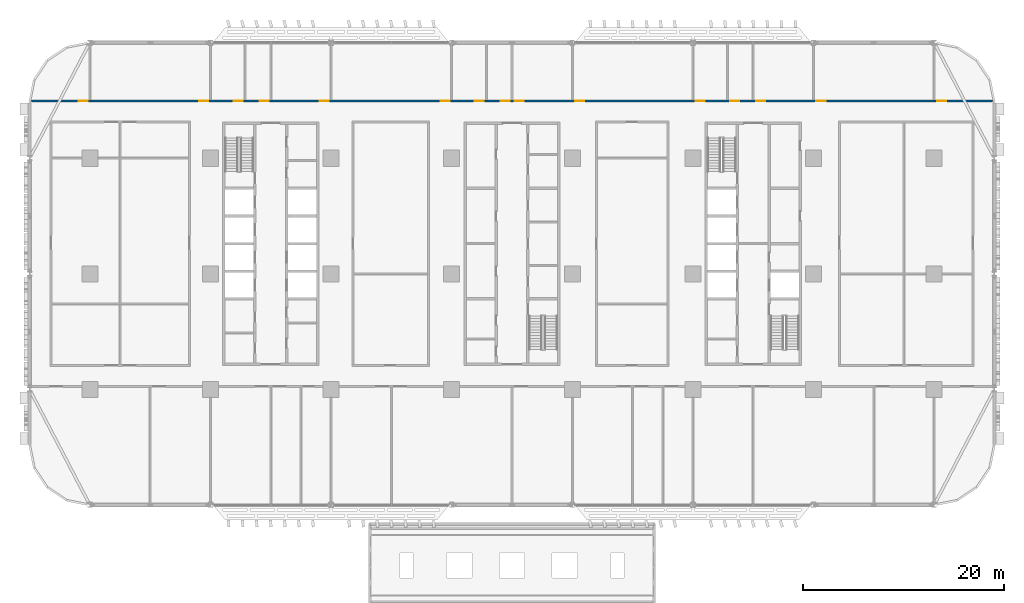
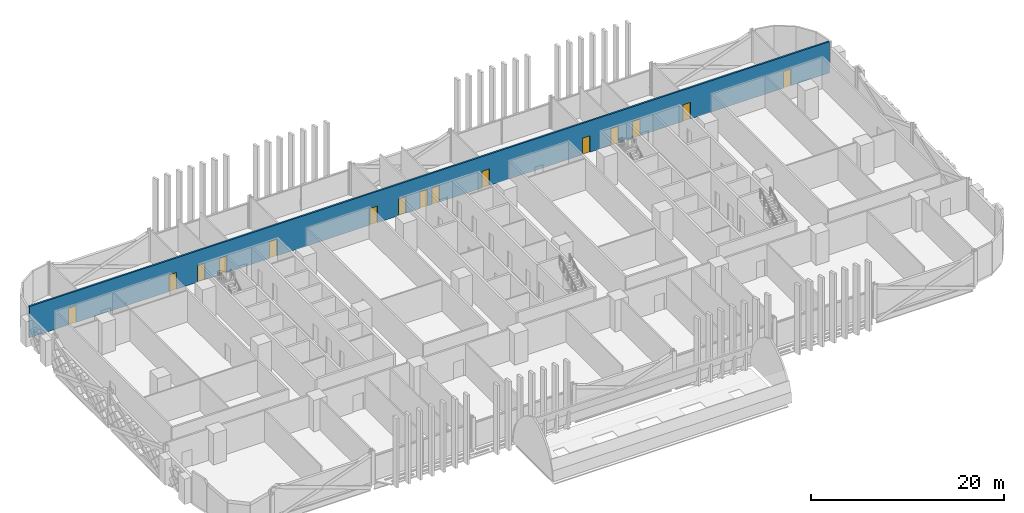
# One storey, part 13 of 31: 15 doors, 1 wall, 15 openings.
"""IFC4 building model written with IfcOpenShell, lengths in metres."""

from ifc_helpers import new_model, si_unit, direction, frame, frame_2d, origin, place, context, subcontext, project, spatial, rectangle, extrude, material, layer, layer_set, type_object, element, fill, save


model = new_model("IFC4")

# Units and contexts
model_context = context("Model", 3, precision=1e-05, world=origin(), true_north=direction((0.0, 1.0)))
body_context = subcontext(model_context, "Body", "Model", "MODEL_VIEW")
ifc_project = project(units=[si_unit("LENGTHUNIT", "METRE"), si_unit("AREAUNIT", "SQUARE_METRE"), si_unit("VOLUMEUNIT", "CUBIC_METRE"), si_unit("PLANEANGLEUNIT", "RADIAN"), si_unit("MASSUNIT", "GRAM", prefix="KILO")], contexts=[model_context])

# Site, building, storey
site_placement = place(None, origin())
site = spatial("IfcSite", under=ifc_project, at=site_placement, CompositionType="ELEMENT")
building_placement = place(site_placement, origin())
building = spatial("IfcBuilding", under=site, at=building_placement, Name="Mahtab Terrace Research Tower", CompositionType="ELEMENT")
storey_placement = place(building_placement, frame((0.0, 0.0, 11.5)))
storey = spatial("IfcBuildingStorey", under=building, at=storey_placement, Name="L02", CompositionType="ELEMENT", Elevation=11.5)

# Wall, openings, doors
ifc_material_1 = material(Name="Gypsum board corridor wall on steel studs", Category="steel")
ifc_layer = layer(ifc_material_1, 0.199951171875)
ifc_layer_set = layer_set([ifc_layer], Name="WALL CORRIDOR 200")
wall_type = type_object("IfcWallType", Name="WALL CORRIDOR 200", PredefinedType="PARTITIONING", material=ifc_layer_set)
wall_placement = place(storey_placement, frame((-47.807373046875, 17.199951171875, 0.0), z_axis=(0.0, 0.0, 1.0), x_axis=(1.0, 0.0, 0.0)))
wall = element("IfcWall", 1, at=wall_placement, inside=storey, type_object=wall_type, Name="L02-W026", PredefinedType="PARTITIONING", context=body_context, shape_type="SweptSolid", body=[
    extrude(rectangle(XDim=95.61474609375, YDim=0.199951171875, at=frame_2d((47.807373046875, 0.0))), origin(), (0.0, 0.0, 1.0), 3.9599609375),
])
opening_1_placement = place(wall_placement, frame((4.699951171875, 0.0, 0.0)))
opening_1 = element("IfcOpeningElement", 2, at=opening_1_placement, cuts=wall, Name="Opening L02-131", PredefinedType="OPENING", context=body_context, shape_type="SweptSolid", body=[
    extrude(rectangle(XDim=0.89990234375, YDim=2.10009765625, at=frame_2d((0.449951171875, 1.050048828125))), frame((0.0, 0.10986328125, 0.0), z_axis=(0.0, -1.0, 0.0), x_axis=(1.0, 0.0, 0.0)), (0.0, 0.0, 1.0), 0.219970703125),
])
opening_2_placement = place(wall_placement, frame((16.699951171875, 0.0, 0.0)))
opening_2 = element("IfcOpeningElement", 3, at=opening_2_placement, cuts=wall, Name="Opening L02-132", PredefinedType="OPENING", context=body_context, shape_type="SweptSolid", body=[
    extrude(rectangle(XDim=0.89990234375, YDim=2.10009765625, at=frame_2d((0.449951171875, 1.050048828125))), frame((0.0, 0.10986328125, 0.0), z_axis=(0.0, -1.0, 0.0), x_axis=(1.0, 0.0, 0.0)), (0.0, 0.0, 1.0), 0.219970703125),
])
opening_3_placement = place(wall_placement, frame((20.10009765625, 0.0, 0.0)))
opening_3 = element("IfcOpeningElement", 4, at=opening_3_placement, cuts=wall, Name="Opening L02-133", PredefinedType="OPENING", context=body_context, shape_type="SweptSolid", body=[
    extrude(rectangle(XDim=0.89990234375, YDim=2.10009765625, at=frame_2d((0.449951171875, 1.050048828125))), frame((0.0, 0.10986328125, 0.0), z_axis=(0.0, -1.0, 0.0), x_axis=(1.0, 0.0, 0.0)), (0.0, 0.0, 1.0), 0.219970703125),
])
opening_4_placement = place(wall_placement, frame((22.699951171875, 0.0, 0.0)))
opening_4 = element("IfcOpeningElement", 5, at=opening_4_placement, cuts=wall, Name="Opening L02-134", PredefinedType="OPENING", context=body_context, shape_type="SweptSolid", body=[
    extrude(rectangle(XDim=0.89990234375, YDim=2.10009765625, at=frame_2d((0.449951171875, 1.050048828125))), frame((0.0, 0.10986328125, 0.0), z_axis=(0.0, -1.0, 0.0), x_axis=(1.0, 0.0, 0.0)), (0.0, 0.0, 1.0), 0.219970703125),
])
opening_5_placement = place(wall_placement, frame((28.699951171875, 0.0, 0.0)))
opening_5 = element("IfcOpeningElement", 6, at=opening_5_placement, cuts=wall, Name="Opening L02-135", PredefinedType="OPENING", context=body_context, shape_type="SweptSolid", body=[
    extrude(rectangle(XDim=0.89990234375, YDim=2.10009765625, at=frame_2d((0.449951171875, 1.050048828125))), frame((0.0, 0.10986328125, 0.0), z_axis=(0.0, -1.0, 0.0), x_axis=(1.0, 0.0, 0.0)), (0.0, 0.0, 1.0), 0.219970703125),
])
opening_6_placement = place(wall_placement, frame((40.699951171875, 0.0, 0.0)))
opening_6 = element("IfcOpeningElement", 7, at=opening_6_placement, cuts=wall, Name="Opening L02-136", PredefinedType="OPENING", context=body_context, shape_type="SweptSolid", body=[
    extrude(rectangle(XDim=0.89990234375, YDim=2.10009765625, at=frame_2d((0.449951171875, 1.050048828125))), frame((0.0, 0.10986328125, 0.0), z_axis=(0.0, -1.0, 0.0), x_axis=(1.0, 0.0, 0.0)), (0.0, 0.0, 1.0), 0.219970703125),
])
opening_7_placement = place(wall_placement, frame((44.10009765625, 0.0, 0.0)))
opening_7 = element("IfcOpeningElement", 8, at=opening_7_placement, cuts=wall, Name="Opening L02-137", PredefinedType="OPENING", context=body_context, shape_type="SweptSolid", body=[
    extrude(rectangle(XDim=0.89990234375, YDim=2.10009765625, at=frame_2d((0.449951171875, 1.050048828125))), frame((0.0, 0.10986328125, 0.0), z_axis=(0.0, -1.0, 0.0), x_axis=(1.0, 0.0, 0.0)), (0.0, 0.0, 1.0), 0.219970703125),
])
opening_8_placement = place(wall_placement, frame((46.699951171875, 0.0, 0.0)))
opening_8 = element("IfcOpeningElement", 9, at=opening_8_placement, cuts=wall, Name="Opening L02-138", PredefinedType="OPENING", context=body_context, shape_type="SweptSolid", body=[
    extrude(rectangle(XDim=0.89990234375, YDim=2.10009765625, at=frame_2d((0.449951171875, 1.050048828125))), frame((0.0, 0.10986328125, 0.0), z_axis=(0.0, -1.0, 0.0), x_axis=(1.0, 0.0, 0.0)), (0.0, 0.0, 1.0), 0.219970703125),
])
opening_9_placement = place(wall_placement, frame((48.10009765625, 0.0, 0.0)))
opening_9 = element("IfcOpeningElement", 10, at=opening_9_placement, cuts=wall, Name="Opening L02-139", PredefinedType="OPENING", context=body_context, shape_type="SweptSolid", body=[
    extrude(rectangle(XDim=0.89990234375, YDim=2.10009765625, at=frame_2d((0.449951171875, 1.050048828125))), frame((0.0, 0.10986328125, 0.0), z_axis=(0.0, -1.0, 0.0), x_axis=(1.0, 0.0, 0.0)), (0.0, 0.0, 1.0), 0.219970703125),
])
opening_10_placement = place(wall_placement, frame((54.10009765625, 0.0, 0.0)))
opening_10 = element("IfcOpeningElement", 11, at=opening_10_placement, cuts=wall, Name="Opening L02-140", PredefinedType="OPENING", context=body_context, shape_type="SweptSolid", body=[
    extrude(rectangle(XDim=0.89990234375, YDim=2.10009765625, at=frame_2d((0.449951171875, 1.050048828125))), frame((0.0, 0.10986328125, 0.0), z_axis=(0.0, -1.0, 0.0), x_axis=(1.0, 0.0, 0.0)), (0.0, 0.0, 1.0), 0.219970703125),
])
opening_11_placement = place(wall_placement, frame((66.10009765625, 0.0, 0.0)))
opening_11 = element("IfcOpeningElement", 12, at=opening_11_placement, cuts=wall, Name="Opening L02-141", PredefinedType="OPENING", context=body_context, shape_type="SweptSolid", body=[
    extrude(rectangle(XDim=0.89990234375, YDim=2.10009765625, at=frame_2d((0.449951171875, 1.050048828125))), frame((0.0, 0.10986328125, 0.0), z_axis=(0.0, -1.0, 0.0), x_axis=(1.0, 0.0, 0.0)), (0.0, 0.0, 1.0), 0.219970703125),
])
opening_12_placement = place(wall_placement, frame((69.5, 0.0, 0.0)))
opening_12 = element("IfcOpeningElement", 13, at=opening_12_placement, cuts=wall, Name="Opening L02-142", PredefinedType="OPENING", context=body_context, shape_type="SweptSolid", body=[
    extrude(rectangle(XDim=0.89990234375, YDim=2.10009765625, at=frame_2d((0.449951171875, 1.050048828125))), frame((0.0, 0.10986328125, 0.0), z_axis=(0.0, -1.0, 0.0), x_axis=(1.0, 0.0, 0.0)), (0.0, 0.0, 1.0), 0.219970703125),
])
opening_13_placement = place(wall_placement, frame((72.10009765625, 0.0, 0.0)))
opening_13 = element("IfcOpeningElement", 14, at=opening_13_placement, cuts=wall, Name="Opening L02-143", PredefinedType="OPENING", context=body_context, shape_type="SweptSolid", body=[
    extrude(rectangle(XDim=0.89990234375, YDim=2.10009765625, at=frame_2d((0.449951171875, 1.050048828125))), frame((0.0, 0.10986328125, 0.0), z_axis=(0.0, -1.0, 0.0), x_axis=(1.0, 0.0, 0.0)), (0.0, 0.0, 1.0), 0.219970703125),
])
opening_14_placement = place(wall_placement, frame((78.10009765625, 0.0, 0.0)))
opening_14 = element("IfcOpeningElement", 15, at=opening_14_placement, cuts=wall, Name="Opening L02-144", PredefinedType="OPENING", context=body_context, shape_type="SweptSolid", body=[
    extrude(rectangle(XDim=0.89990234375, YDim=2.10009765625, at=frame_2d((0.449951171875, 1.050048828125))), frame((0.0, 0.10986328125, 0.0), z_axis=(0.0, -1.0, 0.0), x_axis=(1.0, 0.0, 0.0)), (0.0, 0.0, 1.0), 0.219970703125),
])
opening_15_placement = place(wall_placement, frame((90.10009765625, 0.0, 0.0)))
opening_15 = element("IfcOpeningElement", 16, at=opening_15_placement, cuts=wall, Name="Opening L02-145", PredefinedType="OPENING", context=body_context, shape_type="SweptSolid", body=[
    extrude(rectangle(XDim=0.89990234375, YDim=2.10009765625, at=frame_2d((0.449951171875, 1.050048828125))), frame((0.0, 0.10986328125, 0.0), z_axis=(0.0, -1.0, 0.0), x_axis=(1.0, 0.0, 0.0)), (0.0, 0.0, 1.0), 0.219970703125),
])
ifc_material_2 = material(Name="Timber door leaf in steel frame", Category="steel")
door_type = type_object("IfcDoorType", Name="DOOR 0900X2100 FD30S", OperationType="SINGLE_SWING_LEFT", PredefinedType="DOOR", material=ifc_material_2)
door_1_placement = place(opening_1_placement, origin())
door_1 = element("IfcDoor", 17, at=door_1_placement, inside=storey, type_object=door_type, Name="Door L02-131", OperationType="SINGLE_SWING_LEFT", OverallHeight=2.10009765625, OverallWidth=0.89990234375, PredefinedType="DOOR", context=body_context, shape_type="SweptSolid", body=[
    extrude(rectangle(XDim=0.89990234375, YDim=2.10009765625, at=frame_2d((0.449951171875, 1.050048828125))), frame((0.0, 0.02490234375, 0.0), z_axis=(0.0, -1.0, 0.0), x_axis=(1.0, 0.0, 0.0)), (0.0, 0.0, 1.0), 0.050048828125),
])
fill(opening_1, door_1)
door_2_placement = place(opening_2_placement, origin())
door_2 = element("IfcDoor", 18, at=door_2_placement, inside=storey, type_object=door_type, Name="Door L02-132", OperationType="SINGLE_SWING_LEFT", OverallHeight=2.10009765625, OverallWidth=0.89990234375, PredefinedType="DOOR", context=body_context, shape_type="SweptSolid", body=[
    extrude(rectangle(XDim=0.89990234375, YDim=2.10009765625, at=frame_2d((0.449951171875, 1.050048828125))), frame((0.0, 0.02490234375, 0.0), z_axis=(0.0, -1.0, 0.0), x_axis=(1.0, 0.0, 0.0)), (0.0, 0.0, 1.0), 0.050048828125),
])
fill(opening_2, door_2)
door_3_placement = place(opening_3_placement, origin())
door_3 = element("IfcDoor", 19, at=door_3_placement, inside=storey, type_object=door_type, Name="Door L02-133", OperationType="SINGLE_SWING_LEFT", OverallHeight=2.10009765625, OverallWidth=0.89990234375, PredefinedType="DOOR", context=body_context, shape_type="SweptSolid", body=[
    extrude(rectangle(XDim=0.89990234375, YDim=2.10009765625, at=frame_2d((0.449951171875, 1.050048828125))), frame((0.0, 0.02490234375, 0.0), z_axis=(0.0, -1.0, 0.0), x_axis=(1.0, 0.0, 0.0)), (0.0, 0.0, 1.0), 0.050048828125),
])
fill(opening_3, door_3)
door_4_placement = place(opening_4_placement, origin())
door_4 = element("IfcDoor", 20, at=door_4_placement, inside=storey, type_object=door_type, Name="Door L02-134", OperationType="SINGLE_SWING_LEFT", OverallHeight=2.10009765625, OverallWidth=0.89990234375, PredefinedType="DOOR", context=body_context, shape_type="SweptSolid", body=[
    extrude(rectangle(XDim=0.89990234375, YDim=2.10009765625, at=frame_2d((0.449951171875, 1.050048828125))), frame((0.0, 0.02490234375, 0.0), z_axis=(0.0, -1.0, 0.0), x_axis=(1.0, 0.0, 0.0)), (0.0, 0.0, 1.0), 0.050048828125),
])
fill(opening_4, door_4)
door_5_placement = place(opening_5_placement, origin())
door_5 = element("IfcDoor", 21, at=door_5_placement, inside=storey, type_object=door_type, Name="Door L02-135", OperationType="SINGLE_SWING_LEFT", OverallHeight=2.10009765625, OverallWidth=0.89990234375, PredefinedType="DOOR", context=body_context, shape_type="SweptSolid", body=[
    extrude(rectangle(XDim=0.89990234375, YDim=2.10009765625, at=frame_2d((0.449951171875, 1.050048828125))), frame((0.0, 0.02490234375, 0.0), z_axis=(0.0, -1.0, 0.0), x_axis=(1.0, 0.0, 0.0)), (0.0, 0.0, 1.0), 0.050048828125),
])
fill(opening_5, door_5)
door_6_placement = place(opening_6_placement, origin())
door_6 = element("IfcDoor", 22, at=door_6_placement, inside=storey, type_object=door_type, Name="Door L02-136", OperationType="SINGLE_SWING_LEFT", OverallHeight=2.10009765625, OverallWidth=0.89990234375, PredefinedType="DOOR", context=body_context, shape_type="SweptSolid", body=[
    extrude(rectangle(XDim=0.89990234375, YDim=2.10009765625, at=frame_2d((0.449951171875, 1.050048828125))), frame((0.0, 0.02490234375, 0.0), z_axis=(0.0, -1.0, 0.0), x_axis=(1.0, 0.0, 0.0)), (0.0, 0.0, 1.0), 0.050048828125),
])
fill(opening_6, door_6)
door_7_placement = place(opening_7_placement, origin())
door_7 = element("IfcDoor", 23, at=door_7_placement, inside=storey, type_object=door_type, Name="Door L02-137", OperationType="SINGLE_SWING_LEFT", OverallHeight=2.10009765625, OverallWidth=0.89990234375, PredefinedType="DOOR", context=body_context, shape_type="SweptSolid", body=[
    extrude(rectangle(XDim=0.89990234375, YDim=2.10009765625, at=frame_2d((0.449951171875, 1.050048828125))), frame((0.0, 0.02490234375, 0.0), z_axis=(0.0, -1.0, 0.0), x_axis=(1.0, 0.0, 0.0)), (0.0, 0.0, 1.0), 0.050048828125),
])
fill(opening_7, door_7)
door_8_placement = place(opening_8_placement, origin())
door_8 = element("IfcDoor", 24, at=door_8_placement, inside=storey, type_object=door_type, Name="Door L02-138", OperationType="SINGLE_SWING_LEFT", OverallHeight=2.10009765625, OverallWidth=0.89990234375, PredefinedType="DOOR", context=body_context, shape_type="SweptSolid", body=[
    extrude(rectangle(XDim=0.89990234375, YDim=2.10009765625, at=frame_2d((0.449951171875, 1.050048828125))), frame((0.0, 0.02490234375, 0.0), z_axis=(0.0, -1.0, 0.0), x_axis=(1.0, 0.0, 0.0)), (0.0, 0.0, 1.0), 0.050048828125),
])
fill(opening_8, door_8)
door_9_placement = place(opening_9_placement, origin())
door_9 = element("IfcDoor", 25, at=door_9_placement, inside=storey, type_object=door_type, Name="Door L02-139", OperationType="SINGLE_SWING_RIGHT", OverallHeight=2.10009765625, OverallWidth=0.89990234375, PredefinedType="DOOR", context=body_context, shape_type="SweptSolid", body=[
    extrude(rectangle(XDim=0.89990234375, YDim=2.10009765625, at=frame_2d((0.449951171875, 1.050048828125))), frame((0.0, 0.02490234375, 0.0), z_axis=(0.0, -1.0, 0.0), x_axis=(1.0, 0.0, 0.0)), (0.0, 0.0, 1.0), 0.050048828125),
])
fill(opening_9, door_9)
door_10_placement = place(opening_10_placement, origin())
door_10 = element("IfcDoor", 26, at=door_10_placement, inside=storey, type_object=door_type, Name="Door L02-140", OperationType="SINGLE_SWING_RIGHT", OverallHeight=2.10009765625, OverallWidth=0.89990234375, PredefinedType="DOOR", context=body_context, shape_type="SweptSolid", body=[
    extrude(rectangle(XDim=0.89990234375, YDim=2.10009765625, at=frame_2d((0.449951171875, 1.050048828125))), frame((0.0, 0.02490234375, 0.0), z_axis=(0.0, -1.0, 0.0), x_axis=(1.0, 0.0, 0.0)), (0.0, 0.0, 1.0), 0.050048828125),
])
fill(opening_10, door_10)
door_11_placement = place(opening_11_placement, origin())
door_11 = element("IfcDoor", 27, at=door_11_placement, inside=storey, type_object=door_type, Name="Door L02-141", OperationType="SINGLE_SWING_RIGHT", OverallHeight=2.10009765625, OverallWidth=0.89990234375, PredefinedType="DOOR", context=body_context, shape_type="SweptSolid", body=[
    extrude(rectangle(XDim=0.89990234375, YDim=2.10009765625, at=frame_2d((0.449951171875, 1.050048828125))), frame((0.0, 0.02490234375, 0.0), z_axis=(0.0, -1.0, 0.0), x_axis=(1.0, 0.0, 0.0)), (0.0, 0.0, 1.0), 0.050048828125),
])
fill(opening_11, door_11)
door_12_placement = place(opening_12_placement, origin())
door_12 = element("IfcDoor", 28, at=door_12_placement, inside=storey, type_object=door_type, Name="Door L02-142", OperationType="SINGLE_SWING_RIGHT", OverallHeight=2.10009765625, OverallWidth=0.89990234375, PredefinedType="DOOR", context=body_context, shape_type="SweptSolid", body=[
    extrude(rectangle(XDim=0.89990234375, YDim=2.10009765625, at=frame_2d((0.449951171875, 1.050048828125))), frame((0.0, 0.02490234375, 0.0), z_axis=(0.0, -1.0, 0.0), x_axis=(1.0, 0.0, 0.0)), (0.0, 0.0, 1.0), 0.050048828125),
])
fill(opening_12, door_12)
door_13_placement = place(opening_13_placement, origin())
door_13 = element("IfcDoor", 29, at=door_13_placement, inside=storey, type_object=door_type, Name="Door L02-143", OperationType="SINGLE_SWING_RIGHT", OverallHeight=2.10009765625, OverallWidth=0.89990234375, PredefinedType="DOOR", context=body_context, shape_type="SweptSolid", body=[
    extrude(rectangle(XDim=0.89990234375, YDim=2.10009765625, at=frame_2d((0.449951171875, 1.050048828125))), frame((0.0, 0.02490234375, 0.0), z_axis=(0.0, -1.0, 0.0), x_axis=(1.0, 0.0, 0.0)), (0.0, 0.0, 1.0), 0.050048828125),
])
fill(opening_13, door_13)
door_14_placement = place(opening_14_placement, origin())
door_14 = element("IfcDoor", 30, at=door_14_placement, inside=storey, type_object=door_type, Name="Door L02-144", OperationType="SINGLE_SWING_RIGHT", OverallHeight=2.10009765625, OverallWidth=0.89990234375, PredefinedType="DOOR", context=body_context, shape_type="SweptSolid", body=[
    extrude(rectangle(XDim=0.89990234375, YDim=2.10009765625, at=frame_2d((0.449951171875, 1.050048828125))), frame((0.0, 0.02490234375, 0.0), z_axis=(0.0, -1.0, 0.0), x_axis=(1.0, 0.0, 0.0)), (0.0, 0.0, 1.0), 0.050048828125),
])
fill(opening_14, door_14)
door_15_placement = place(opening_15_placement, origin())
door_15 = element("IfcDoor", 31, at=door_15_placement, inside=storey, type_object=door_type, Name="Door L02-145", OperationType="SINGLE_SWING_RIGHT", OverallHeight=2.10009765625, OverallWidth=0.89990234375, PredefinedType="DOOR", context=body_context, shape_type="SweptSolid", body=[
    extrude(rectangle(XDim=0.89990234375, YDim=2.10009765625, at=frame_2d((0.449951171875, 1.050048828125))), frame((0.0, 0.02490234375, 0.0), z_axis=(0.0, -1.0, 0.0), x_axis=(1.0, 0.0, 0.0)), (0.0, 0.0, 1.0), 0.050048828125),
])
fill(opening_15, door_15)

save(model, "model.ifc")
